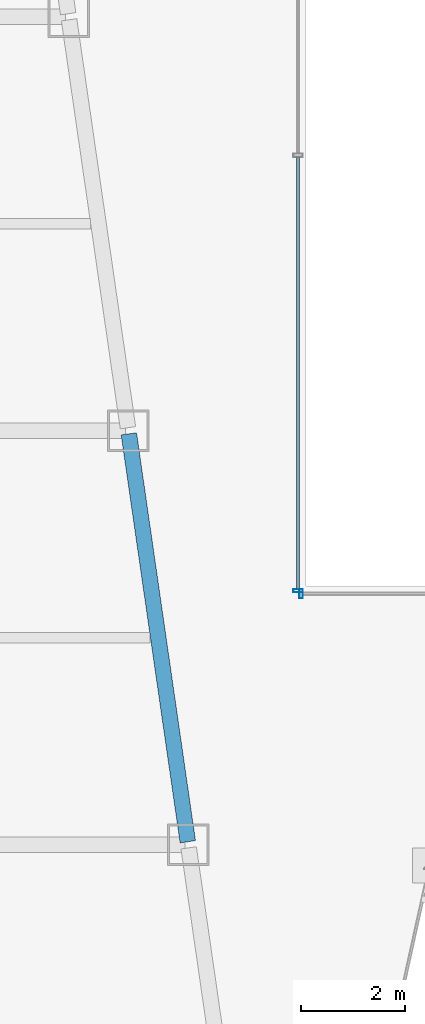
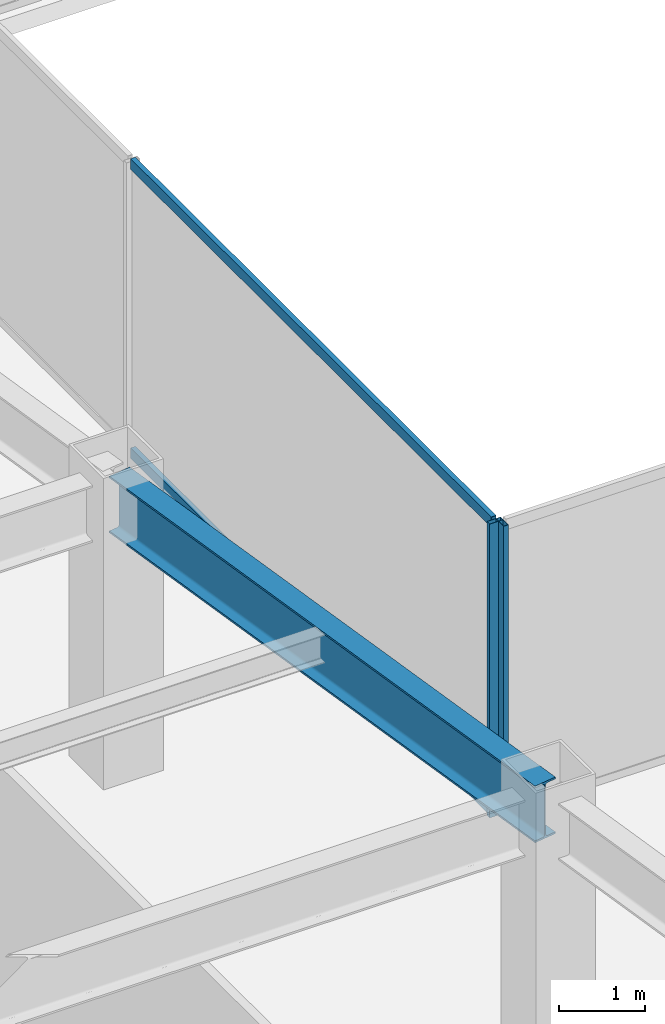
# One storey, part 12 of 47: 4 members, 1 beam, 2 elements without a shape of their own.
"""IFC4 building model written with IfcOpenShell, lengths in metres."""

from ifc_helpers import new_model, si_unit, direction, frame, origin, origin_2d, place, context, subcontext, project, spatial, hollow_rectangle, i_section, extrude, material, material_profile, profile_set, type_object, element, aggregate, save


model = new_model("IFC4")

# Units and contexts
model_context = context("Model", 3, precision=1e-05, world=origin(), true_north=direction((0.0, 1.0)))
body_context = subcontext(model_context, "Body", "Model", "MODEL_VIEW")
ifc_project = project(units=[si_unit("LENGTHUNIT", "METRE"), si_unit("AREAUNIT", "SQUARE_METRE"), si_unit("VOLUMEUNIT", "CUBIC_METRE"), si_unit("PLANEANGLEUNIT", "RADIAN"), si_unit("MASSUNIT", "GRAM", prefix="KILO")], contexts=[model_context])

# Site, building, storey
site_placement = place(None, origin())
site = spatial("IfcSite", under=ifc_project, at=site_placement, CompositionType="ELEMENT")
building_placement = place(site_placement, origin())
building = spatial("IfcBuilding", under=site, at=building_placement, Name="Saevonmaru Cultural Tower", CompositionType="ELEMENT")
storey_placement = place(building_placement, frame((0.0, 0.0, 92.800048828125)))
storey = spatial("IfcBuildingStorey", under=building, at=storey_placement, Name="L19", CompositionType="ELEMENT", Elevation=92.800048828125)

# Beam
ifc_material_1 = material(Name="Steel SM420", Category="steel")
ifc_material_profile_1 = material_profile(ifc_material_1, i_section(OverallWidth=0.300048828125, OverallDepth=0.800048828125, WebThickness=0.013916015625, FlangeThickness=0.02587890625, FilletRadius=0.028076171875, at=origin_2d()), Name="H-800x300x14x26")
ifc_profile_set_1 = profile_set([ifc_material_profile_1], Name="Steel SM420")
beam_type = type_object("IfcBeamType", Name="BM-G-H800", PredefinedType="BEAM", material=ifc_profile_set_1)
beam_placement = place(storey_placement, frame((21.91943359375, 16.059326171875, 3.75), z_axis=(-0.143022161059, 0.989719486241, 0.0), x_axis=(-0.989719486241, -0.143022161059, 0.0)))
element("IfcBeam", 1, at=beam_placement, inside=storey, type_object=beam_type, Name="L19 West Atrium Girder 3", PredefinedType="BEAM", context=body_context, shape_type="SweptSolid", body=[
    extrude(i_section(OverallWidth=0.300048828125, OverallDepth=0.800048828125, WebThickness=0.013916015625, FlangeThickness=0.02587890625, FilletRadius=0.028076171875, at=origin_2d()), origin(), (0.0, 0.0, 1.0), 7.963134765625),
])

# Curtain wall, member
ifc_material_2 = material(Name="Satin Bronze Anodised Aluminium", Category="aluminium")
curtain_wall_type = type_object("IfcCurtainWallType", Name="CW-ATR-GLZ", PredefinedType="NOTDEFINED", material=ifc_material_2)
curtain_wall_1_placement = place(storey_placement, origin())
curtain_wall_1 = element("IfcCurtainWall", 2, at=curtain_wall_1_placement, inside=storey, type_object=curtain_wall_type, Name="L19 Vertical Atrium Glazed Smoke Screen 1", PredefinedType="NOTDEFINED")
ifc_material_profile_2 = material_profile(ifc_material_2, hollow_rectangle(XDim=0.06494140625, YDim=0.179931640625, WallThickness=0.00390625, at=origin_2d()), Name="ALU-MULL-180x65x4")
ifc_profile_set_2 = profile_set([ifc_material_profile_2], Name="Satin Bronze Anodised Aluminium")
member_type_1 = type_object("IfcMemberType", Name="ML-CW-INT-180x65", PredefinedType="MULLION", material=ifc_profile_set_2)
member_1_placement = place(storey_placement, frame((24.110107421875, 20.85009765625, 0.0), z_axis=(0.0, 0.0, 1.0), x_axis=(1.0, 0.0, 0.0)))
member_1 = element("IfcMember", 3, at=member_1_placement, type_object=member_type_1, Name="CW-ATR-L19-1 mullion 1", PredefinedType="MULLION", context=body_context, shape_type="SweptSolid", body=[
    extrude(hollow_rectangle(XDim=0.06494140625, YDim=0.179931640625, WallThickness=0.00390625, at=origin_2d()), origin(), (0.0, 0.0, 1.0), 4.14990234375),
])
aggregate(curtain_wall_1, [member_1])

# Curtain wall, members
curtain_wall_2_placement = place(storey_placement, origin())
curtain_wall_2 = element("IfcCurtainWall", 4, at=curtain_wall_2_placement, inside=storey, type_object=curtain_wall_type, Name="L19 Vertical Atrium Glazed Smoke Screen 4", PredefinedType="NOTDEFINED")
member_2_placement = place(storey_placement, frame((24.050048828125, 20.909912109375, 0.0), z_axis=(0.0, 0.0, 1.0), x_axis=(0.0, -1.0, 0.0)))
member_2 = element("IfcMember", 5, at=member_2_placement, type_object=member_type_1, Name="CW-ATR-L19-4 mullion 3", PredefinedType="MULLION", context=body_context, shape_type="SweptSolid", body=[
    extrude(hollow_rectangle(XDim=0.06494140625, YDim=0.179931640625, WallThickness=0.00390625, at=origin_2d()), origin(), (0.0, 0.0, 1.0), 4.14990234375),
])
ifc_material_profile_3 = material_profile(ifc_material_2, hollow_rectangle(XDim=0.06494140625, YDim=0.14990234375, WallThickness=0.00390625, at=origin_2d()), Name="ALU-TRAN-150x65x4")
ifc_profile_set_3 = profile_set([ifc_material_profile_3], Name="Satin Bronze Anodised Aluminium")
member_type_2 = type_object("IfcMemberType", Name="TR-CW-INT-150x65", PredefinedType="USERDEFINED", material=ifc_profile_set_3)
member_3_placement = place(storey_placement, frame((24.050048828125, 29.28759765625, 0.032470703125), z_axis=(0.0, -1.0, 0.0), x_axis=(1.0, 0.0, 0.0)))
member_3 = element("IfcMember", 6, at=member_3_placement, type_object=member_type_2, Name="CW-ATR-L19-4 transom 2.1", ObjectType="TRANSOM", PredefinedType="USERDEFINED", context=body_context, shape_type="SweptSolid", body=[
    extrude(hollow_rectangle(XDim=0.06494140625, YDim=0.14990234375, WallThickness=0.00390625, at=origin_2d()), origin(), (0.0, 0.0, 1.0), 8.34521484375),
])
member_4_placement = place(storey_placement, frame((24.050048828125, 29.28759765625, 4.117431640625), z_axis=(0.0, -1.0, 0.0), x_axis=(1.0, 0.0, 0.0)))
member_4 = element("IfcMember", 7, at=member_4_placement, type_object=member_type_2, Name="CW-ATR-L19-4 transom 2.2", ObjectType="TRANSOM", PredefinedType="USERDEFINED", context=body_context, shape_type="SweptSolid", body=[
    extrude(hollow_rectangle(XDim=0.06494140625, YDim=0.14990234375, WallThickness=0.00390625, at=origin_2d()), origin(), (0.0, 0.0, 1.0), 8.34521484375),
])
aggregate(curtain_wall_2, [member_2, member_3, member_4])

save(model, "model.ifc")
